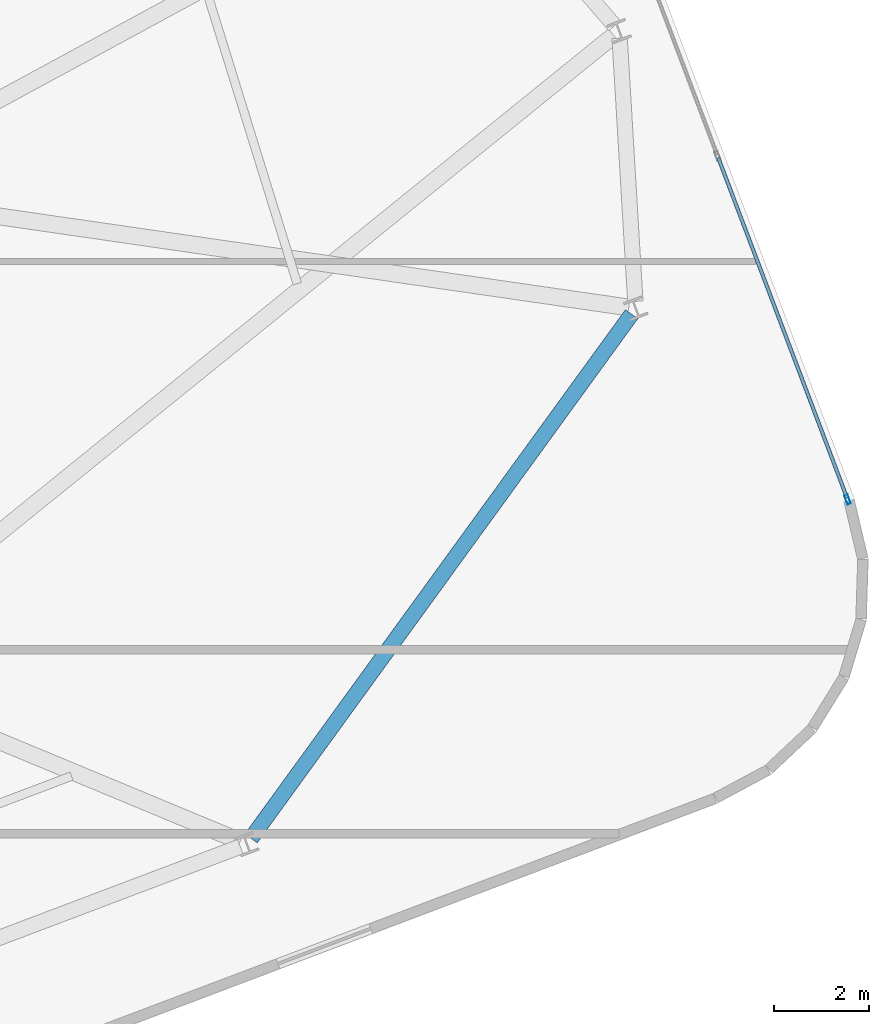
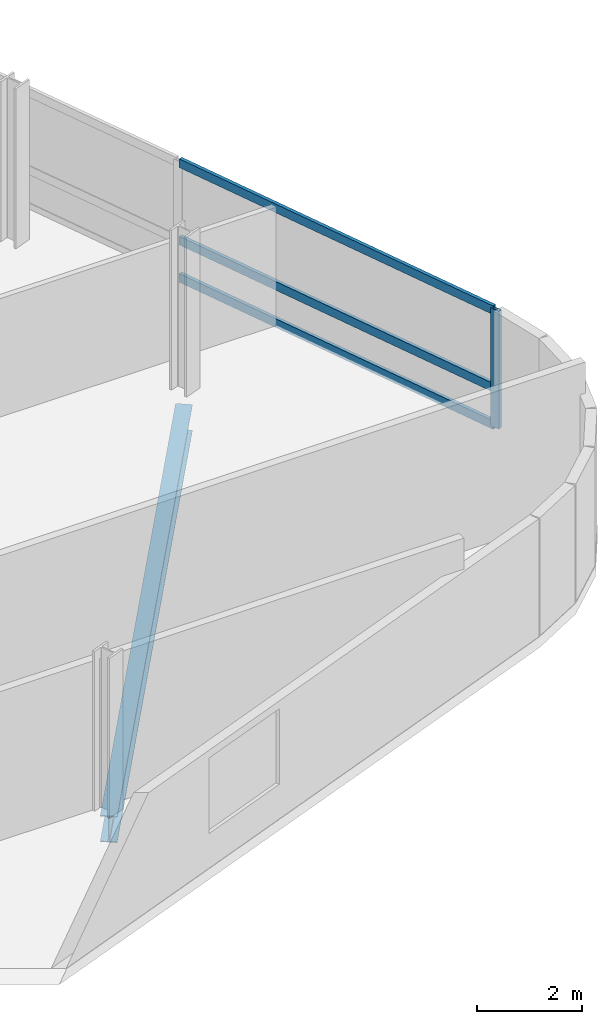
# One storey, part 11 of 20: 4 members, 1 beam, 1 element without a shape of its own.
"""IFC4 building model written with IfcOpenShell, lengths in metres."""

from ifc_helpers import new_model, si_unit, direction, frame, origin, origin_2d, place, context, subcontext, project, spatial, hollow_rectangle, i_section, extrude, material, layer, layer_set, material_profile, profile_set, type_object, element, aggregate, save


model = new_model("IFC4")

# Units and contexts
model_context = context("Model", 3, precision=1e-05, world=origin(), true_north=direction((0.0, 1.0)))
body_context = subcontext(model_context, "Body", "Model", "MODEL_VIEW")
ifc_project = project(units=[si_unit("LENGTHUNIT", "METRE"), si_unit("AREAUNIT", "SQUARE_METRE"), si_unit("VOLUMEUNIT", "CUBIC_METRE"), si_unit("PLANEANGLEUNIT", "RADIAN"), si_unit("MASSUNIT", "GRAM", prefix="KILO")], contexts=[model_context])

# Site, building, storey
site_placement = place(None, origin())
site = spatial("IfcSite", under=ifc_project, at=site_placement, CompositionType="ELEMENT")
building_placement = place(site_placement, origin())
building = spatial("IfcBuilding", under=site, at=building_placement, Name="Varnelok Gate Tower", CompositionType="ELEMENT")
storey_placement = place(building_placement, frame((0.0, 0.0, 223.800048828125)))
storey = spatial("IfcBuildingStorey", under=building, at=storey_placement, Name="L57", CompositionType="ELEMENT", Elevation=223.800048828125)

# Beam
ifc_material_1 = material(Name="Structural Steel ASTM A992 Grade 50", Category="steel")
ifc_material_profile_1 = material_profile(ifc_material_1, i_section(OverallWidth=0.323974609375, OverallDepth=0.611083984375, WebThickness=0.0126953125, FlangeThickness=0.01904296875, FilletRadius=0.01806640625, at=origin_2d()), Name="W24X104")
ifc_profile_set_1 = profile_set([ifc_material_profile_1], Name="Structural Steel ASTM A992 Grade 50")
beam_type = type_object("IfcBeamType", Name="BM-SPN-W24X104", PredefinedType="SPANDREL", material=ifc_profile_set_1)
beam_placement = place(storey_placement, frame((62.92041015625, 15.249755859375, -0.5556640625), z_axis=(0.58754084914, 0.809194507267, 0.0), x_axis=(-0.809194507267, 0.58754084914, 0.0)))
element("IfcBeam", 1, at=beam_placement, inside=storey, type_object=beam_type, Name="L57 Perimeter Spandrel Beam 5", PredefinedType="SPANDREL", context=body_context, shape_type="SweptSolid", body=[
    extrude(i_section(OverallWidth=0.323974609375, OverallDepth=0.611083984375, WebThickness=0.0126953125, FlangeThickness=0.01904296875, FilletRadius=0.01806640625, at=origin_2d()), origin(), (0.0, 0.0, 1.0), 13.695556640625),
])

# Curtain wall, members
ifc_material_2 = material(Name="Anodized Aluminum Alloy 6063-T6", Category="aluminium")
ifc_layer = layer(ifc_material_2, 0.179931640625)
ifc_layer_set = layer_set([ifc_layer], Name="Anodized Aluminum Alloy 6063-T6")
curtain_wall_type = type_object("IfcCurtainWallType", Name="CW4-RESIDENCE-VISION", PredefinedType="USERDEFINED", material=ifc_layer_set)
curtain_wall_placement = place(storey_placement, origin())
curtain_wall = element("IfcCurtainWall", 2, at=curtain_wall_placement, inside=storey, type_object=curtain_wall_type, Name="L57 East End Vision Curtain Wall", ObjectType="UNITISED CURTAIN WALL", PredefinedType="USERDEFINED")
ifc_material_profile_2 = material_profile(ifc_material_2, hollow_rectangle(XDim=0.074951171875, YDim=0.199951171875, WallThickness=0.00390625, at=origin_2d()), Name="ALU200X75X4")
ifc_profile_set_2 = profile_set([ifc_material_profile_2], Name="Anodized Aluminum Alloy 6063-T6")
member_type_1 = type_object("IfcMemberType", Name="CW-MULL-200", PredefinedType="MULLION", material=ifc_profile_set_2)
member_1_placement = place(storey_placement, frame((75.534912109375, 22.41552734375, 0.0), z_axis=(0.0, 0.0, 1.0), x_axis=(0.935221557832, 0.354063042079, 0.0)))
member_1 = element("IfcMember", 3, at=member_1_placement, type_object=member_type_1, Name="CW4 mullion 5", PredefinedType="MULLION", context=body_context, shape_type="SweptSolid", body=[
    extrude(hollow_rectangle(XDim=0.074951171875, YDim=0.199951171875, WallThickness=0.00390625, at=origin_2d()), origin(), (0.0, 0.0, 1.0), 2.72998046875),
])
ifc_material_profile_3 = material_profile(ifc_material_2, hollow_rectangle(XDim=0.074951171875, YDim=0.199951171875, WallThickness=0.00390625, at=origin_2d()), Name="ALU200X75X4")
ifc_profile_set_3 = profile_set([ifc_material_profile_3], Name="Anodized Aluminum Alloy 6063-T6")
member_type_2 = type_object("IfcMemberType", Name="CW-TRAN-200", PredefinedType="USERDEFINED", material=ifc_profile_set_3)
member_2_placement = place(storey_placement, frame((72.7998046875, 29.64013671875, 0.037353515625), z_axis=(0.354062525952, -0.935221753231, 0.0), x_axis=(0.935221753231, 0.354062525952, 0.0)))
member_2 = element("IfcMember", 4, at=member_2_placement, type_object=member_type_2, Name="CW4 transom 4.1", ObjectType="TRANSOM", PredefinedType="USERDEFINED", context=body_context, shape_type="SweptSolid", body=[
    extrude(hollow_rectangle(XDim=0.074951171875, YDim=0.199951171875, WallThickness=0.00390625, at=origin_2d()), origin(), (0.0, 0.0, 1.0), 7.687744140625),
])
member_3_placement = place(storey_placement, frame((72.7998046875, 29.64013671875, 0.89990234375), z_axis=(0.354062525952, -0.935221753231, 0.0), x_axis=(0.935221753231, 0.354062525952, 0.0)))
member_3 = element("IfcMember", 5, at=member_3_placement, type_object=member_type_2, Name="CW4 transom 4.2", ObjectType="TRANSOM", PredefinedType="USERDEFINED", context=body_context, shape_type="SweptSolid", body=[
    extrude(hollow_rectangle(XDim=0.074951171875, YDim=0.199951171875, WallThickness=0.00390625, at=origin_2d()), origin(), (0.0, 0.0, 1.0), 7.687744140625),
])
member_4_placement = place(storey_placement, frame((72.7998046875, 29.64013671875, 2.6923828125), z_axis=(0.354062525952, -0.935221753231, 0.0), x_axis=(0.935221753231, 0.354062525952, 0.0)))
member_4 = element("IfcMember", 6, at=member_4_placement, type_object=member_type_2, Name="CW4 transom 4.3", ObjectType="TRANSOM", PredefinedType="USERDEFINED", context=body_context, shape_type="SweptSolid", body=[
    extrude(hollow_rectangle(XDim=0.074951171875, YDim=0.199951171875, WallThickness=0.00390625, at=origin_2d()), origin(), (0.0, 0.0, 1.0), 7.687744140625),
])
aggregate(curtain_wall, [member_1, member_2, member_3, member_4])

save(model, "model.ifc")
